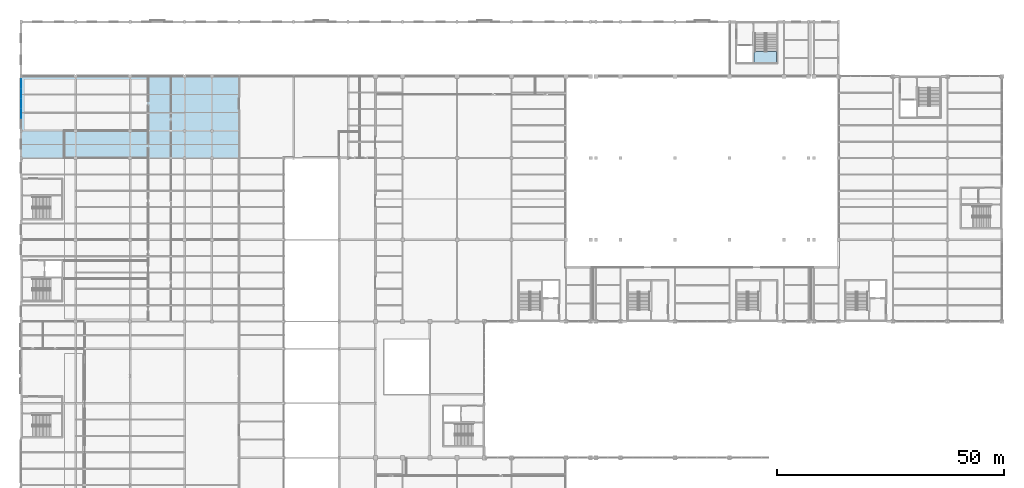
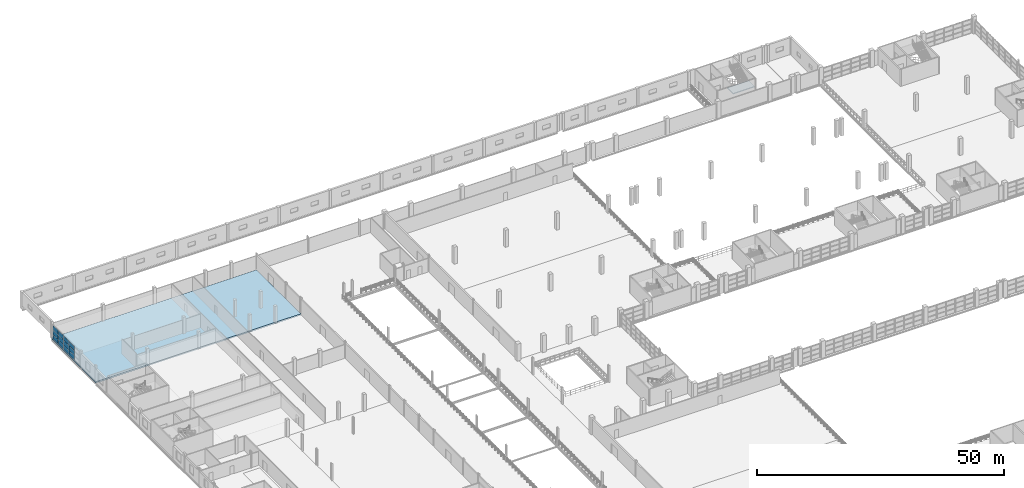
# One storey, part 136 of 158: 12 plates, 2 slabs, 2 elements without a shape of their own.
"""IFC4 building model written with IfcOpenShell, lengths in metres."""

from ifc_helpers import new_model, si_unit, direction, frame, origin, origin_2d, place, context, subcontext, project, spatial, polyline, rectangle, outline, extrude, material, layer, layer_set, type_object, element, aggregate, save


model = new_model("IFC4")

# Units and contexts
model_context = context("Model", 3, precision=1e-05, world=origin(), true_north=direction((0.0, 1.0)))
body_context = subcontext(model_context, "Body", "Model", "MODEL_VIEW")
ifc_project = project(units=[si_unit("LENGTHUNIT", "METRE"), si_unit("AREAUNIT", "SQUARE_METRE"), si_unit("VOLUMEUNIT", "CUBIC_METRE"), si_unit("PLANEANGLEUNIT", "RADIAN"), si_unit("MASSUNIT", "GRAM", prefix="KILO")], contexts=[model_context])

# Site, building, storey
site_placement = place(None, origin())
site = spatial("IfcSite", under=ifc_project, at=site_placement, CompositionType="ELEMENT")
building_placement = place(site_placement, origin())
building = spatial("IfcBuilding", under=site, at=building_placement, Name="Zilviju Railside Exhibition Hall", CompositionType="ELEMENT")
storey_placement = place(building_placement, frame((0.0, 0.0, 4.199951171875)))
storey = spatial("IfcBuildingStorey", under=building, at=storey_placement, Name="L02", CompositionType="ELEMENT", Elevation=4.199951171875)

# Curtain wall, plates
ifc_material_1 = material(Name="Thermally broken aluminium-steel triple-glazed curtain wall", Category="steel")
ifc_layer_1 = layer(ifc_material_1, 0.179931640625)
ifc_layer_set_1 = layer_set([ifc_layer_1], Name="Thermally broken aluminium-steel triple-glazed curtain wall")
curtain_wall_type = type_object("IfcCurtainWallType", Name="CW-BAY-04", PredefinedType="USERDEFINED", material=ifc_layer_set_1)
curtain_wall_placement = place(storey_placement, origin())
curtain_wall = element("IfcCurtainWall", 1, at=curtain_wall_placement, inside=storey, type_object=curtain_wall_type, Name="Organisers Wing Jugendstils Erkeri Curtain Wall L02", ObjectType="GLAZED CURTAIN WALL", PredefinedType="USERDEFINED")
ifc_material_2 = material(Name="Triple-glazed solar-control glass unit", Category="glass")
ifc_layer_2 = layer(ifc_material_2, 0.0380859375)
ifc_layer_set_2 = layer_set([ifc_layer_2], Name="Triple-glazed solar-control glass unit")
plate_type = type_object("IfcPlateType", Name="CWP-IGU-38", PredefinedType="CURTAIN_PANEL", material=ifc_layer_set_2)
plate_1_placement = place(storey_placement, frame((0.0, 129.820068359375, 0.06494140625), z_axis=(0.0, 0.0, 1.0), x_axis=(0.0, 1.0, 0.0)))
plate_1 = element("IfcPlate", 2, at=plate_1_placement, type_object=plate_type, Name="CW-04 panel 2.1", PredefinedType="CURTAIN_PANEL", context=body_context, shape_type="SweptSolid", body=[
    extrude(rectangle(XDim=2.114990234375, YDim=0.0380859375, at=origin_2d()), origin(), (0.0, 0.0, 1.0), 1.069580078125),
])
plate_2_placement = place(storey_placement, frame((0.0, 129.820068359375, 1.199462890625), z_axis=(0.0, 0.0, 1.0), x_axis=(0.0, 1.0, 0.0)))
plate_2 = element("IfcPlate", 3, at=plate_2_placement, type_object=plate_type, Name="CW-04 panel 2.2", PredefinedType="CURTAIN_PANEL", context=body_context, shape_type="SweptSolid", body=[
    extrude(rectangle(XDim=2.114990234375, YDim=0.0380859375, at=origin_2d()), origin(), (0.0, 0.0, 1.0), 1.10107421875),
])
plate_3_placement = place(storey_placement, frame((0.0, 129.820068359375, 2.36572265625), z_axis=(0.0, 0.0, 1.0), x_axis=(0.0, 1.0, 0.0)))
plate_3 = element("IfcPlate", 4, at=plate_3_placement, type_object=plate_type, Name="CW-04 panel 2.3", PredefinedType="CURTAIN_PANEL", context=body_context, shape_type="SweptSolid", body=[
    extrude(rectangle(XDim=2.114990234375, YDim=0.0380859375, at=origin_2d()), origin(), (0.0, 0.0, 1.0), 1.069580078125),
])
plate_4_placement = place(storey_placement, frame((0.0, 132.0, 0.06494140625), z_axis=(0.0, 0.0, 1.0), x_axis=(0.0, 1.0, 0.0)))
plate_4 = element("IfcPlate", 5, at=plate_4_placement, type_object=plate_type, Name="CW-04 panel 3.1", PredefinedType="CURTAIN_PANEL", context=body_context, shape_type="SweptSolid", body=[
    extrude(rectangle(XDim=2.114990234375, YDim=0.0380859375, at=origin_2d()), origin(), (0.0, 0.0, 1.0), 1.069580078125),
])
plate_5_placement = place(storey_placement, frame((0.0, 132.0, 1.199462890625), z_axis=(0.0, 0.0, 1.0), x_axis=(0.0, 1.0, 0.0)))
plate_5 = element("IfcPlate", 6, at=plate_5_placement, type_object=plate_type, Name="CW-04 panel 3.2", PredefinedType="CURTAIN_PANEL", context=body_context, shape_type="SweptSolid", body=[
    extrude(rectangle(XDim=2.114990234375, YDim=0.0380859375, at=origin_2d()), origin(), (0.0, 0.0, 1.0), 1.10107421875),
])
plate_6_placement = place(storey_placement, frame((0.0, 132.0, 2.36572265625), z_axis=(0.0, 0.0, 1.0), x_axis=(0.0, 1.0, 0.0)))
plate_6 = element("IfcPlate", 7, at=plate_6_placement, type_object=plate_type, Name="CW-04 panel 3.3", PredefinedType="CURTAIN_PANEL", context=body_context, shape_type="SweptSolid", body=[
    extrude(rectangle(XDim=2.114990234375, YDim=0.0380859375, at=origin_2d()), origin(), (0.0, 0.0, 1.0), 1.069580078125),
])
plate_7_placement = place(storey_placement, frame((0.0, 134.179931640625, 0.06494140625), z_axis=(0.0, 0.0, 1.0), x_axis=(0.0, 1.0, 0.0)))
plate_7 = element("IfcPlate", 8, at=plate_7_placement, type_object=plate_type, Name="CW-04 panel 4.1", PredefinedType="CURTAIN_PANEL", context=body_context, shape_type="SweptSolid", body=[
    extrude(rectangle(XDim=2.114990234375, YDim=0.0380859375, at=origin_2d()), origin(), (0.0, 0.0, 1.0), 1.069580078125),
])
plate_8_placement = place(storey_placement, frame((0.0, 134.179931640625, 1.199462890625), z_axis=(0.0, 0.0, 1.0), x_axis=(0.0, 1.0, 0.0)))
plate_8 = element("IfcPlate", 9, at=plate_8_placement, type_object=plate_type, Name="CW-04 panel 4.2", PredefinedType="CURTAIN_PANEL", context=body_context, shape_type="SweptSolid", body=[
    extrude(rectangle(XDim=2.114990234375, YDim=0.0380859375, at=origin_2d()), origin(), (0.0, 0.0, 1.0), 1.10107421875),
])
plate_9_placement = place(storey_placement, frame((0.0, 134.179931640625, 2.36572265625), z_axis=(0.0, 0.0, 1.0), x_axis=(0.0, 1.0, 0.0)))
plate_9 = element("IfcPlate", 10, at=plate_9_placement, type_object=plate_type, Name="CW-04 panel 4.3", PredefinedType="CURTAIN_PANEL", context=body_context, shape_type="SweptSolid", body=[
    extrude(rectangle(XDim=2.114990234375, YDim=0.0380859375, at=origin_2d()), origin(), (0.0, 0.0, 1.0), 1.069580078125),
])
plate_10_placement = place(storey_placement, frame((0.0, 136.34375, 0.06494140625), z_axis=(0.0, 0.0, 1.0), x_axis=(0.0, 1.0, 0.0)))
plate_10 = element("IfcPlate", 11, at=plate_10_placement, type_object=plate_type, Name="CW-04 panel 5.1", PredefinedType="CURTAIN_PANEL", context=body_context, shape_type="SweptSolid", body=[
    extrude(rectangle(XDim=2.08251953125, YDim=0.0380859375, at=origin_2d()), origin(), (0.0, 0.0, 1.0), 1.069580078125),
])
plate_11_placement = place(storey_placement, frame((0.0, 136.34375, 1.199462890625), z_axis=(0.0, 0.0, 1.0), x_axis=(0.0, 1.0, 0.0)))
plate_11 = element("IfcPlate", 12, at=plate_11_placement, type_object=plate_type, Name="CW-04 panel 5.2", PredefinedType="CURTAIN_PANEL", context=body_context, shape_type="SweptSolid", body=[
    extrude(rectangle(XDim=2.08251953125, YDim=0.0380859375, at=origin_2d()), origin(), (0.0, 0.0, 1.0), 1.10107421875),
])
plate_12_placement = place(storey_placement, frame((0.0, 136.34375, 2.36572265625), z_axis=(0.0, 0.0, 1.0), x_axis=(0.0, 1.0, 0.0)))
plate_12 = element("IfcPlate", 13, at=plate_12_placement, type_object=plate_type, Name="CW-04 panel 5.3", PredefinedType="CURTAIN_PANEL", context=body_context, shape_type="SweptSolid", body=[
    extrude(rectangle(XDim=2.08251953125, YDim=0.0380859375, at=origin_2d()), origin(), (0.0, 0.0, 1.0), 1.069580078125),
])
aggregate(curtain_wall, [plate_1, plate_2, plate_3, plate_4, plate_5, plate_6, plate_7, plate_8, plate_9, plate_10, plate_11, plate_12])

# Slab
ifc_material_3 = material(Name="Concrete C35/45", Category="concrete")
ifc_layer_3 = layer(ifc_material_3, 0.35009765625)
ifc_layer_set_3 = layer_set([ifc_layer_3], Name="Concrete C35/45")
slab_type_1 = type_object("IfcSlabType", Name="SL-FLR-350", PredefinedType="FLOOR", material=ifc_layer_set_3)
slab_1_placement = place(storey_placement, frame((0.0, 0.0, -0.349853515625)))
element("IfcSlab", 14, at=slab_1_placement, inside=storey, type_object=slab_type_1, Name="Breakout Wing L02 Floor Slab 3", PredefinedType="FLOOR", context=body_context, shape_type="SweptSolid", body=[
    extrude(outline(polyline([(0.0, 120.0), (48.0, 120.0), (48.0, 138.0), (0.0, 138.0), (0.0, 120.0)])), origin(), (0.0, 0.0, 1.0), 0.349853515625),
])

# Stair, slab
stair_type = type_object("IfcStairType", Name="STAIR-ST-B", PredefinedType="HALF_TURN_STAIR", material=ifc_material_3)
stair_placement = place(storey_placement, origin())
stair = element("IfcStair", 15, at=stair_placement, inside=storey, type_object=stair_type, Name="Core C17 Logistics Wing East Exit Stair L02", PredefinedType="HALF_TURN_STAIR")
ifc_layer_4 = layer(ifc_material_3, 0.199951171875)
ifc_layer_set_4 = layer_set([ifc_layer_4], Name="Concrete C35/45")
slab_type_2 = type_object("IfcSlabType", Name="SL-LAND-200", PredefinedType="LANDING", material=ifc_layer_set_4)
slab_2_placement = place(storey_placement, frame((0.0, 0.0, 1.900146484375)))
slab_2 = element("IfcSlab", 16, at=slab_2_placement, type_object=slab_type_2, Name="ST-17 landing 1", PredefinedType="LANDING", context=body_context, shape_type="SweptSolid", body=[
    extrude(outline(polyline([(166.35009765625, 143.469970703125), (161.35009765625, 143.469970703125), (161.35009765625, 141.050048828125), (166.35009765625, 141.050048828125), (166.35009765625, 143.469970703125)])), origin(), (0.0, 0.0, 1.0), 0.199951171875),
])
aggregate(stair, [slab_2])

save(model, "model.ifc")
